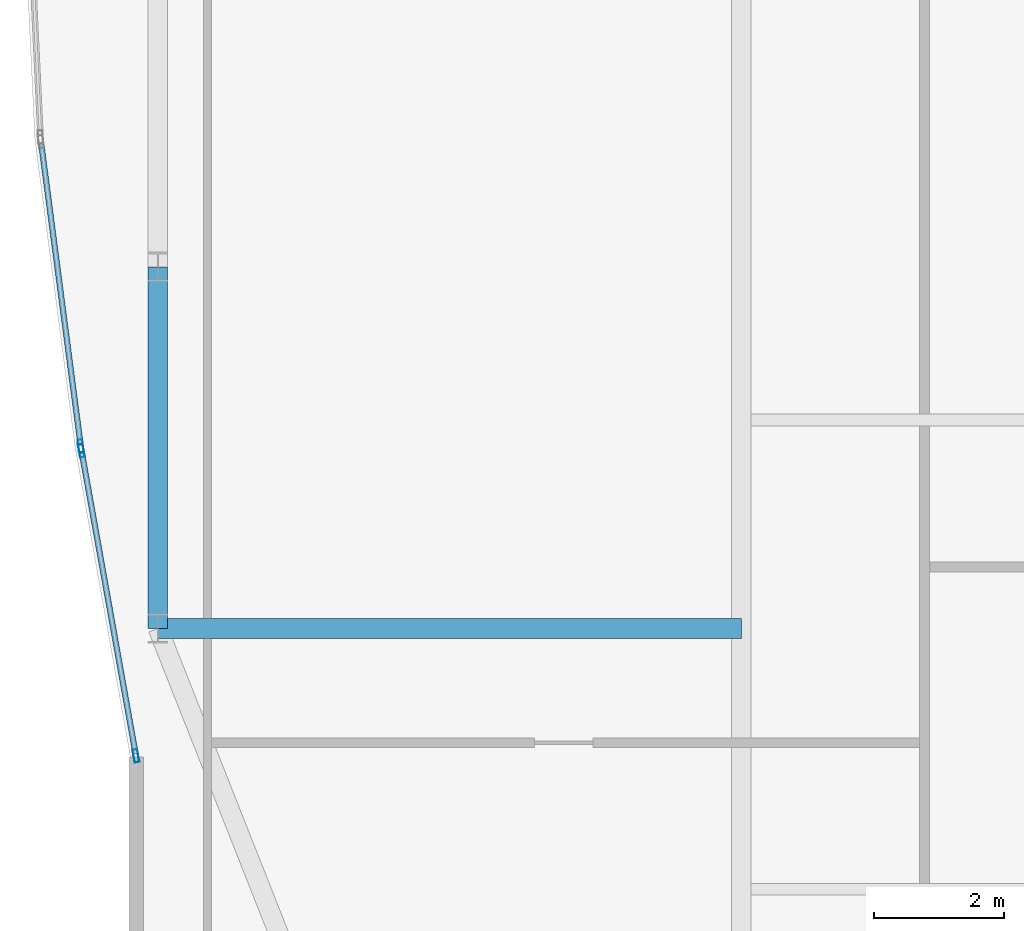
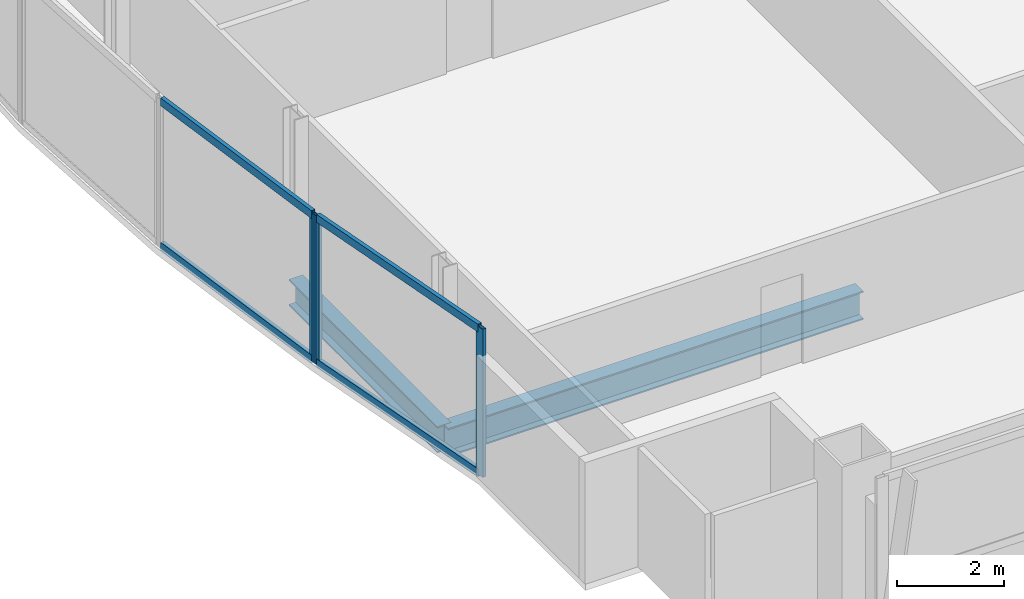
# One storey, part 6 of 30: 7 members, 2 beams, 2 elements without a shape of their own.
"""IFC4 building model written with IfcOpenShell, lengths in metres."""

from ifc_helpers import new_model, si_unit, direction, frame, origin, origin_2d, place, context, subcontext, project, spatial, hollow_rectangle, i_section, extrude, material, material_profile, profile_set, type_object, element, aggregate, save


model = new_model("IFC4")

# Units and contexts
model_context = context("Model", 3, precision=1e-05, world=origin(), true_north=direction((0.0, 1.0)))
body_context = subcontext(model_context, "Body", "Model", "MODEL_VIEW")
ifc_project = project(units=[si_unit("LENGTHUNIT", "METRE"), si_unit("AREAUNIT", "SQUARE_METRE"), si_unit("VOLUMEUNIT", "CUBIC_METRE"), si_unit("PLANEANGLEUNIT", "RADIAN"), si_unit("MASSUNIT", "GRAM", prefix="KILO")], contexts=[model_context])

# Site, building, storey
site_placement = place(None, origin())
site = spatial("IfcSite", under=ifc_project, at=site_placement, CompositionType="ELEMENT")
building_placement = place(site_placement, origin())
building = spatial("IfcBuilding", under=site, at=building_placement, Name="Khoronbel Lancet Exchange", CompositionType="ELEMENT")
storey_placement = place(building_placement, frame((0.0, 0.0, 253.39990234375)))
storey = spatial("IfcBuildingStorey", under=building, at=storey_placement, Name="L65", CompositionType="ELEMENT", Elevation=253.39990234375)

# Beams
ifc_material_1 = material(Name="Steel S355", Category="steel")
ifc_material_profile_1 = material_profile(ifc_material_1, i_section(OverallWidth=0.300048828125, OverallDepth=0.64990234375, WebThickness=0.01611328125, FlangeThickness=0.031005859375, at=origin_2d()), Name="HEB 650")
ifc_profile_set_1 = profile_set([ifc_material_profile_1], Name="Steel S355")
beam_type_1 = type_object("IfcBeamType", Name="BM-BG4", PredefinedType="BEAM", material=ifc_profile_set_1)
beam_1_placement = place(storey_placement, frame((9.27001953125, 19.199951171875, -0.48486328125), z_axis=(1.0, 0.0, 0.0), x_axis=(0.0, 1.0, 0.0)))
element("IfcBeam", 1, at=beam_1_placement, inside=storey, type_object=beam_type_1, Name="Level L65 west lens tie girder LG1W", PredefinedType="BEAM", context=body_context, shape_type="SweptSolid", body=[
    extrude(i_section(OverallWidth=0.300048828125, OverallDepth=0.64990234375, WebThickness=0.01611328125, FlangeThickness=0.031005859375, at=origin_2d()), origin(), (0.0, 0.0, 1.0), 8.955078125),
])
ifc_material_profile_2 = material_profile(ifc_material_1, i_section(OverallWidth=0.300048828125, OverallDepth=0.60009765625, WebThickness=0.015380859375, FlangeThickness=0.030029296875, at=origin_2d()), Name="HEB 600")
ifc_profile_set_2 = profile_set([ifc_material_profile_2], Name="Steel S355")
beam_type_2 = type_object("IfcBeamType", Name="BM-BSP2", PredefinedType="SPANDREL", material=ifc_profile_set_2)
beam_2_placement = place(storey_placement, frame((9.27001953125, 24.75, -0.4599609375), z_axis=(0.0, -1.0, 0.0), x_axis=(1.0, 0.0, 0.0)))
element("IfcBeam", 2, at=beam_2_placement, inside=storey, type_object=beam_type_2, Name="Level L65 perimeter spandrel beam SP20", PredefinedType="SPANDREL", context=body_context, shape_type="SweptSolid", body=[
    extrude(i_section(OverallWidth=0.300048828125, OverallDepth=0.60009765625, WebThickness=0.015380859375, FlangeThickness=0.030029296875, at=origin_2d()), origin(), (0.0, 0.0, 1.0), 5.550048828125),
])

# Curtain wall, members
ifc_material_2 = material(Name="Low-E Solar Control Insulating Glass", Category="glass")
curtain_wall_type = type_object("IfcCurtainWallType", Name="CW-4", PredefinedType="NOTDEFINED", material=ifc_material_2)
curtain_wall_1_placement = place(storey_placement, origin())
curtain_wall_1 = element("IfcCurtainWall", 3, at=curtain_wall_1_placement, inside=storey, type_object=curtain_wall_type, Name="Unitised curtain wall CW-L65-E04", PredefinedType="NOTDEFINED")
ifc_material_3 = material(Name="Bronze-Anodised Aluminium 6063-T6", Category="aluminium")
ifc_material_profile_3 = material_profile(ifc_material_3, hollow_rectangle(XDim=0.074951171875, YDim=0.199951171875, WallThickness=0.0048828125, at=origin_2d()), Name="ALU MULLION 75x200")
ifc_profile_set_3 = profile_set([ifc_material_profile_3], Name="Bronze-Anodised Aluminium 6063-T6")
member_type_1 = type_object("IfcMemberType", Name="MEM-CWM2", PredefinedType="MULLION", material=ifc_profile_set_3)
member_1_placement = place(storey_placement, frame((8.933349609375, 17.244873046875, 0.0), z_axis=(0.0, 0.0, 1.0), x_axis=(-0.984425784404, -0.175800668376, 0.0)))
member_1 = element("IfcMember", 4, at=member_1_placement, type_object=member_type_1, Name="CW4 mullion 1", PredefinedType="MULLION", context=body_context, shape_type="SweptSolid", body=[
    extrude(hollow_rectangle(XDim=0.074951171875, YDim=0.199951171875, WallThickness=0.0048828125, at=origin_2d()), origin(), (0.0, 0.0, 1.0), 3.380126953125),
])
member_2_placement = place(storey_placement, frame((8.097412109375, 21.927001953125, 0.0), z_axis=(0.0, 0.0, 1.0), x_axis=(-0.984425784404, -0.175800668376, 0.0)))
member_2 = element("IfcMember", 5, at=member_2_placement, type_object=member_type_1, Name="CW4 mullion 2", PredefinedType="MULLION", context=body_context, shape_type="SweptSolid", body=[
    extrude(hollow_rectangle(XDim=0.074951171875, YDim=0.199951171875, WallThickness=0.0048828125, at=origin_2d()), origin(), (0.0, 0.0, 1.0), 3.380126953125),
])

# Curtain wall, member
curtain_wall_2_placement = place(storey_placement, origin())
curtain_wall_2 = element("IfcCurtainWall", 6, at=curtain_wall_2_placement, inside=storey, type_object=curtain_wall_type, Name="Unitised curtain wall CW-L65-E05", PredefinedType="NOTDEFINED")
member_3_placement = place(storey_placement, frame((8.0859375, 22.0009765625, 0.0), z_axis=(0.0, 0.0, 1.0), x_axis=(-0.991560388751, -0.129645653456, 0.0)))
member_3 = element("IfcMember", 7, at=member_3_placement, type_object=member_type_1, Name="CW4 mullion 1", PredefinedType="MULLION", context=body_context, shape_type="SweptSolid", body=[
    extrude(hollow_rectangle(XDim=0.074951171875, YDim=0.199951171875, WallThickness=0.0048828125, at=origin_2d()), origin(), (0.0, 0.0, 1.0), 3.380126953125),
])

# Member
ifc_material_profile_4 = material_profile(ifc_material_3, hollow_rectangle(XDim=0.0849609375, YDim=0.179931640625, WallThickness=0.0048828125, at=origin_2d()), Name="ALU TRANSOM 85x180")
ifc_profile_set_4 = profile_set([ifc_material_profile_4], Name="Bronze-Anodised Aluminium 6063-T6")
member_type_2 = type_object("IfcMemberType", Name="MEM-CWT1", PredefinedType="USERDEFINED", material=ifc_profile_set_4)
member_4_placement = place(storey_placement, frame((8.9267578125, 17.28173828125, 0.04248046875), z_axis=(-0.175763561469, 0.984432410305, 0.0), x_axis=(-0.984432410305, -0.175763561469, 0.0)))
member_4 = element("IfcMember", 8, at=member_4_placement, type_object=member_type_2, Name="CW4 transom 1.1", ObjectType="TRANSOM", PredefinedType="USERDEFINED", context=body_context, shape_type="SweptSolid", body=[
    extrude(hollow_rectangle(XDim=0.0849609375, YDim=0.179931640625, WallThickness=0.0048828125, at=origin_2d()), origin(), (0.0, 0.0, 1.0), 4.680908203125),
])

member_5_placement = place(storey_placement, frame((8.9267578125, 17.28173828125, 3.337646484375), z_axis=(-0.175763561469, 0.984432410305, 0.0), x_axis=(-0.984432410305, -0.175763561469, 0.0)))
member_5 = element("IfcMember", 9, at=member_5_placement, type_object=member_type_2, Name="CW4 transom 1.2", ObjectType="TRANSOM", PredefinedType="USERDEFINED", context=body_context, shape_type="SweptSolid", body=[
    extrude(hollow_rectangle(XDim=0.0849609375, YDim=0.179931640625, WallThickness=0.0048828125, at=origin_2d()), origin(), (0.0, 0.0, 1.0), 4.680908203125),
])

aggregate(curtain_wall_1, [member_1, member_2, member_4, member_5])

member_6_placement = place(storey_placement, frame((8.0810546875, 22.0380859375, 0.04248046875), z_axis=(-0.129640951477, 0.991561003519, 0.0), x_axis=(-0.991561003519, -0.129640951477, 0.0)))
member_6 = element("IfcMember", 10, at=member_6_placement, type_object=member_type_2, Name="CW4 transom 1.1", ObjectType="TRANSOM", PredefinedType="USERDEFINED", context=body_context, shape_type="SweptSolid", body=[
    extrude(hollow_rectangle(XDim=0.0849609375, YDim=0.179931640625, WallThickness=0.0048828125, at=origin_2d()), origin(), (0.0, 0.0, 1.0), 4.634521484375),
])

member_7_placement = place(storey_placement, frame((8.0810546875, 22.0380859375, 3.337646484375), z_axis=(-0.129640951477, 0.991561003519, 0.0), x_axis=(-0.991561003519, -0.129640951477, 0.0)))
member_7 = element("IfcMember", 11, at=member_7_placement, type_object=member_type_2, Name="CW4 transom 1.2", ObjectType="TRANSOM", PredefinedType="USERDEFINED", context=body_context, shape_type="SweptSolid", body=[
    extrude(hollow_rectangle(XDim=0.0849609375, YDim=0.179931640625, WallThickness=0.0048828125, at=origin_2d()), origin(), (0.0, 0.0, 1.0), 4.634521484375),
])

aggregate(curtain_wall_2, [member_3, member_6, member_7])

save(model, "model.ifc")
